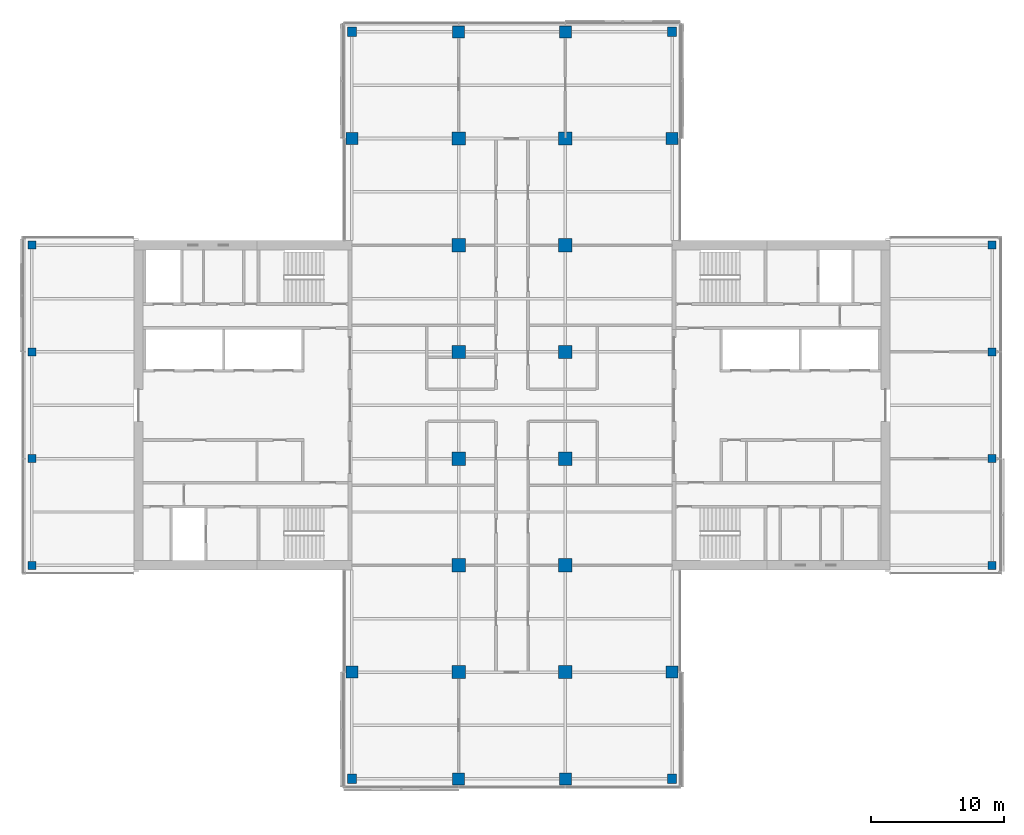
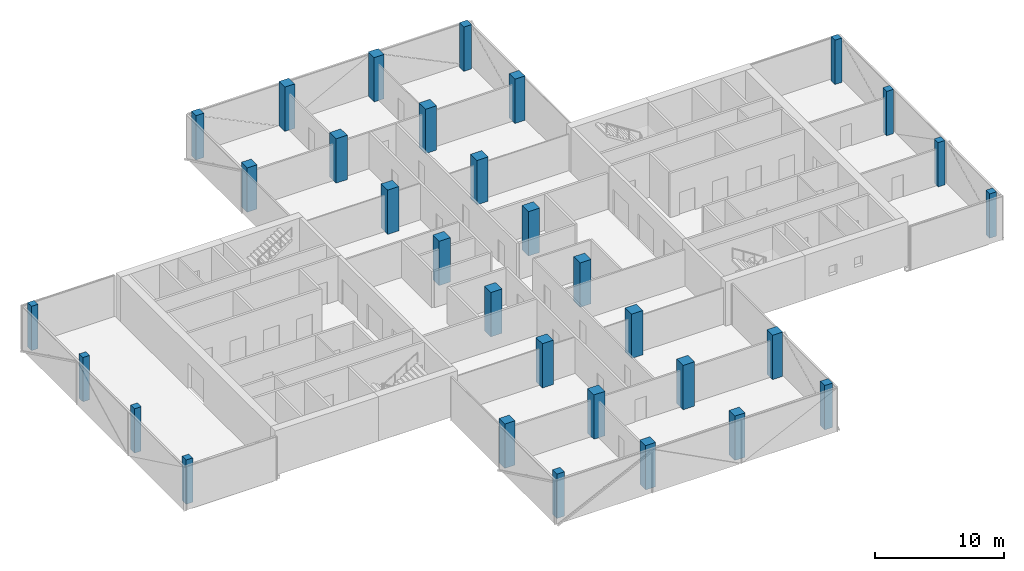
# One storey, part 1 of 22: 32 columns.
"""IFC4 building model written with IfcOpenShell, lengths in metres."""

import ifcopenshell
import ifcopenshell.guid

model = None  # the IFC model being written
_history = None  # IfcOwnerHistory: only IFC2X3 demands one
_inside = {}  # id of a spatial element -> (the spatial element, [elements in it])
_under = {}  # id of a project, library or spatial element -> (it, [spatial elements below it])
_declared = {}  # id of a project -> (the project, [libraries it declares])
_typed = {}  # id of a type object -> (the type object, [elements of that type])
_made_of = {}  # id of a material, layer set ... -> (it, [elements and type objects made of it])


def new_model(schema):
    """Start an empty IFC model of exactly this schema.

    Asked for "IFC4X3", IfcOpenShell would pick the latest addendum, in which some entities
    have other attributes; the version numbers below select the first issue.
    IFC2X3 requires an IfcOwnerHistory on every rooted entity: one is made here for all.
    """
    global model, _history
    if schema == "IFC4X3":
        model = ifcopenshell.file(schema_version=(4, 3, 0, 0))
    else:
        model = ifcopenshell.file(schema=schema)
    _inside.clear()
    _under.clear()
    _declared.clear()
    _typed.clear()
    _made_of.clear()
    _history = None
    if model.schema == "IFC2X3":
        org = make("IfcOrganization", Name="unknown")
        user = make(
            "IfcPersonAndOrganization",
            ThePerson=make("IfcPerson", FamilyName="unknown"),
            TheOrganization=org,
        )
        app = make(
            "IfcApplication",
            ApplicationDeveloper=org,
            Version="unknown",
            ApplicationFullName="unknown",
            ApplicationIdentifier="unknown",
        )
        _history = make(
            "IfcOwnerHistory",
            OwningUser=user,
            OwningApplication=app,
            ChangeAction="ADDED",
            CreationDate=0,
        )
    return model


def make(cls, **values):
    """One entity of the class cls with the attributes given. An attribute that is None is left unset."""
    return model.create_entity(
        cls, **{name: value for name, value in values.items() if value is not None}
    )


def rooted(cls, **values):
    """An entity with a GlobalId (a new one), such as an element, a storey or a relation."""
    return make(cls, GlobalId=ifcopenshell.guid.new(), OwnerHistory=_history, **values)


def si_unit(unit_type, name, prefix=None):
    """IfcSIUnit, for example si_unit("LENGTHUNIT", "METRE", prefix="MILLI")."""
    return make("IfcSIUnit", UnitType=unit_type, Prefix=prefix, Name=name)


def assignment(units):
    """IfcUnitAssignment: the units of a project."""
    return None if units is None else make("IfcUnitAssignment", Units=units)


def point(xyz):
    """IfcCartesianPoint."""
    return None if xyz is None else make("IfcCartesianPoint", Coordinates=xyz)


def direction(xyz):
    """IfcDirection."""
    return None if xyz is None else make("IfcDirection", DirectionRatios=xyz)


def frame(location, z_axis=None, x_axis=None):
    """IfcAxis2Placement3D, a coordinate frame: its origin and axes. An axis left out is left unset."""
    return make(
        "IfcAxis2Placement3D",
        Location=point(location),
        Axis=direction(z_axis),
        RefDirection=direction(x_axis),
    )


def frame_2d(location, x_axis=None):
    """IfcAxis2Placement2D, a coordinate frame in the plane: its origin and x axis."""
    return make(
        "IfcAxis2Placement2D", Location=point(location), RefDirection=direction(x_axis)
    )


def origin():
    """The frame at (0, 0, 0) with its axes left unset."""
    return frame((0.0, 0.0, 0.0))


def origin_2d():
    """The frame at (0, 0) in the plane with its x axis left unset."""
    return frame_2d((0.0, 0.0))


def place(relative_to, where):
    """IfcLocalPlacement: puts the frame where relative to a parent placement (None: the world)."""
    return make(
        "IfcLocalPlacement", PlacementRelTo=relative_to, RelativePlacement=where
    )


def context(
    kind, dimensions, precision=None, world=None, true_north=None, identifier=None
):
    """IfcGeometricRepresentationContext, for example the 3D "Model" context."""
    return make(
        "IfcGeometricRepresentationContext",
        ContextIdentifier=identifier,
        ContextType=kind,
        CoordinateSpaceDimension=dimensions,
        Precision=precision,
        WorldCoordinateSystem=world,
        TrueNorth=true_north,
    )


def subcontext(parent, identifier, kind, view, scale=None):
    """IfcGeometricRepresentationSubContext, for example "Body" below "Model"."""
    return make(
        "IfcGeometricRepresentationSubContext",
        ContextIdentifier=identifier,
        ContextType=kind,
        ParentContext=parent,
        TargetScale=scale,
        TargetView=view,
    )


def project(units=None, contexts=None):
    """IfcProject with its units and contexts."""
    return rooted(
        "IfcProject",
        Name="project",
        RepresentationContexts=contexts,
        UnitsInContext=assignment(units),
    )


def spatial(cls, under=None, at=None, **own):
    """A site, building, storey or space (cls), placed at a placement, below another one or the project."""
    s = rooted(cls, ObjectPlacement=at, **own)
    if under is not None:
        _under.setdefault(under.id(), (under, []))[1].append(s)
    return s


def profile(cls, at=None, kind="AREA", **sizes):
    """A parametric profile (cls). Its sizes go by their IFC names, for example OverallWidth=200.0."""
    return make(cls, ProfileType=kind, Position=at, **sizes)


def rectangle(**sizes):
    """IfcRectangleProfileDef."""
    return profile("IfcRectangleProfileDef", **sizes)


def extrude(swept, where, along, depth):
    """IfcExtrudedAreaSolid: the profile swept, set in the frame where, extruded along a direction by depth."""
    return make(
        "IfcExtrudedAreaSolid",
        SweptArea=swept,
        Position=where,
        ExtrudedDirection=direction(along),
        Depth=depth,
    )


def shape(context_of_items, identifier, shape_type, items):
    """IfcShapeRepresentation: the items that make up one representation, for example the "Body"."""
    return make(
        "IfcShapeRepresentation",
        ContextOfItems=context_of_items,
        RepresentationIdentifier=identifier,
        RepresentationType=shape_type,
        Items=items,
    )


def material(Name=None, Category=None):
    """IfcMaterial."""
    return make("IfcMaterial", Name=Name, Category=Category)


def material_profile(
    of_material, cross_section, Name=None, Category=None, Priority=None
):
    """IfcMaterialProfile: a cross section and its material."""
    return make(
        "IfcMaterialProfile",
        Name=Name,
        Material=of_material,
        Profile=cross_section,
        Priority=Priority,
        Category=Category,
    )


def profile_set(profiles, Name=None, composite=None):
    """IfcMaterialProfileSet."""
    return make(
        "IfcMaterialProfileSet",
        Name=Name,
        MaterialProfiles=profiles,
        CompositeProfile=composite,
    )


def made_of(thing, what):
    """Note that an element or type object is made of a material, layer set ...; save() writes the relation."""
    if what is not None:
        _made_of.setdefault(what.id(), (what, []))[1].append(thing)
    return thing


def type_object(cls, material=None, **own):
    """A type object (cls), such as IfcWallType, which elements share."""
    return made_of(rooted(cls, **own), material)


def element(
    cls,
    number,
    at=None,
    inside=None,
    cuts=None,
    type_object=None,
    material=None,
    context=None,
    identifier="Body",
    shape_type=None,
    held_by="IfcProductDefinitionShape",
    body=None,
    shapes=None,
    **own,
):
    """One element of the class cls, such as IfcWall. Its Tag is "e" and its number.

    at: its placement. inside: the storey or other place that contains it. cuts: it is an
    opening in that element (IfcRelVoidsElement). A single representation is given by context,
    identifier, shape_type and body (its items); several are given by shapes. held_by: the class
    of the entity that holds the representations. save() writes the other relations.
    """
    e = rooted(cls, Tag="e%d" % number, ObjectPlacement=at, **own)
    if body is not None:
        shapes = [shape(context, identifier, shape_type, body)]
    if shapes is not None:
        e.Representation = make(held_by, Representations=shapes)
    if inside is not None:
        _inside.setdefault(inside.id(), (inside, []))[1].append(e)
    if cuts is not None:
        rooted(
            "IfcRelVoidsElement", RelatingBuildingElement=cuts, RelatedOpeningElement=e
        )
    if type_object is not None:
        _typed.setdefault(type_object.id(), (type_object, []))[1].append(e)
    return made_of(e, material)


def aggregate(whole, parts):
    """IfcRelAggregates: a whole, such as a stair, and the parts it consists of."""
    return rooted("IfcRelAggregates", RelatingObject=whole, RelatedObjects=parts)


def save(model, path):
    """Write the relations noted so far, then the file.

    IfcRelAggregates (storeys below a building ...), IfcRelContainedInSpatialStructure (elements
    in a storey), IfcRelDefinesByType, IfcRelAssociatesMaterial and IfcRelDeclares: one each for
    every whole, place, type object, material and project.
    """
    for whole, parts in _under.values():
        aggregate(whole, parts)
    for where, things in _inside.values():
        rooted(
            "IfcRelContainedInSpatialStructure",
            RelatedElements=things,
            RelatingStructure=where,
        )
    for kind, things in _typed.values():
        rooted("IfcRelDefinesByType", RelatedObjects=things, RelatingType=kind)
    for what, things in _made_of.values():
        rooted("IfcRelAssociatesMaterial", RelatedObjects=things, RelatingMaterial=what)
    for by, libraries in _declared.values():
        rooted("IfcRelDeclares", RelatingContext=by, RelatedDefinitions=libraries)
    model.write(path)


model = new_model("IFC4")

# Units and contexts
model_context = context("Model", 3, precision=1e-05, world=origin(), true_north=direction((0.0, 1.0)))
body_context = subcontext(model_context, "Body", "Model", "MODEL_VIEW")
ifc_project = project(units=[si_unit("LENGTHUNIT", "METRE"), si_unit("AREAUNIT", "SQUARE_METRE"), si_unit("VOLUMEUNIT", "CUBIC_METRE"), si_unit("PLANEANGLEUNIT", "RADIAN"), si_unit("MASSUNIT", "GRAM", prefix="KILO")], contexts=[model_context])

# Site, building, storey
site_placement = place(None, origin())
site = spatial("IfcSite", under=ifc_project, at=site_placement, CompositionType="ELEMENT")
building_placement = place(site_placement, origin())
building = spatial("IfcBuilding", under=site, at=building_placement, Name="Crosswind Convention Tower", CompositionType="ELEMENT")
storey_placement = place(building_placement, frame((0.0, 0.0, 133.699951171875)))
storey = spatial("IfcBuildingStorey", under=building, at=storey_placement, Name="L27", CompositionType="ELEMENT", Elevation=133.699951171875)

# Columns
ifc_material_1 = material(Name="Concrete C70/85", Category="concrete")
ifc_material_profile_1 = material_profile(ifc_material_1, rectangle(XDim=1.0, YDim=1.0, at=origin_2d()), Name="RC 1000X1000")
ifc_profile_set_1 = profile_set([ifc_material_profile_1], Name="Concrete C70/85")
column_type_1 = type_object("IfcColumnType", Name="Column RC 1000X1000", PredefinedType="COLUMN", material=ifc_profile_set_1)
for number, where, z_axis, x_axis, name in (
    (1, (121.0, 80.0, 0.0), (0.0, 0.0, 1.0), (1.0, 0.0, 0.0), "C12 L27 6/D"),
    (2, (121.0, 88.0, 0.0), (0.0, 0.0, 1.0), (1.0, 0.0, 0.0), "C12 L27 6/E"),
    (3, (121.0, 96.0, 0.0), (0.0, 0.0, 1.0), (1.0, 0.0, 0.0), "C12 L27 6/F"),
    (4, (121.0, 104.0, 0.0), (0.0, 0.0, 1.0), (1.0, 0.0, 0.0), "C12 L27 6/G"),
    (5, (121.0, 112.0, 0.0), (0.0, 0.0, 1.0), (1.0, 0.0, 0.0), "C12 L27 6/H"),
    (6, (121.0, 120.0, 0.0), (0.0, 0.0, 1.0), (1.0, 0.0, 0.0), "C12 L27 6/I"),
    (7, (129.0, 80.0, 0.0), (0.0, 0.0, 1.0), (1.0, 0.0, 0.0), "C12 L27 7/D"),
    (8, (129.0, 88.0, 0.0), (0.0, 0.0, 1.0), (1.0, 0.0, 0.0), "C12 L27 7/E"),
    (9, (129.0, 96.0, 0.0), (0.0, 0.0, 1.0), (1.0, 0.0, 0.0), "C12 L27 7/F"),
    (10, (129.0, 104.0, 0.0), (0.0, 0.0, 1.0), (1.0, 0.0, 0.0), "C12 L27 7/G"),
    (11, (129.0, 112.0, 0.0), (0.0, 0.0, 1.0), (1.0, 0.0, 0.0), "C12 L27 7/H"),
    (12, (129.0, 120.0, 0.0), (0.0, 0.0, 1.0), (1.0, 0.0, 0.0), "C12 L27 7/I"),
):
    element("IfcColumn", number, at=place(storey_placement, frame(where, z_axis=z_axis, x_axis=x_axis)), inside=storey, type_object=column_type_1, Name=name, PredefinedType="COLUMN", context=body_context, shape_type="SweptSolid", body=[
        extrude(rectangle(XDim=1.0, YDim=1.0, at=origin_2d()), origin(), (0.0, 0.0, 1.0), 4.199951171875),
    ])
ifc_material_2 = material(Name="Concrete C60/75", Category="concrete")
ifc_material_profile_2 = material_profile(ifc_material_2, rectangle(XDim=0.60009765625, YDim=0.60009765625, at=origin_2d()), Name="RC 600X600")
ifc_profile_set_2 = profile_set([ifc_material_profile_2], Name="Concrete C60/75")
column_type_2 = type_object("IfcColumnType", Name="Column RC 600X600", PredefinedType="COLUMN", material=ifc_profile_set_2)
for number, where, z_axis, x_axis, name in (
    (13, (89.0, 88.0, 0.0), (0.0, 0.0, 1.0), (1.0, 0.0, 0.0), "C16 L27 2/E"),
    (14, (89.0, 96.0, 0.0), (0.0, 0.0, 1.0), (1.0, 0.0, 0.0), "C16 L27 2/F"),
    (15, (89.0, 104.0, 0.0), (0.0, 0.0, 1.0), (1.0, 0.0, 0.0), "C16 L27 2/G"),
    (16, (89.0, 112.0, 0.0), (0.0, 0.0, 1.0), (1.0, 0.0, 0.0), "C16 L27 2/H"),
    (17, (161.0, 88.0, 0.0), (0.0, 0.0, 1.0), (1.0, 0.0, 0.0), "C16 L27 11/E"),
    (18, (161.0, 96.0, 0.0), (0.0, 0.0, 1.0), (1.0, 0.0, 0.0), "C16 L27 11/F"),
    (19, (161.0, 104.0, 0.0), (0.0, 0.0, 1.0), (1.0, 0.0, 0.0), "C16 L27 11/G"),
    (20, (161.0, 112.0, 0.0), (0.0, 0.0, 1.0), (1.0, 0.0, 0.0), "C16 L27 11/H"),
):
    element("IfcColumn", number, at=place(storey_placement, frame(where, z_axis=z_axis, x_axis=x_axis)), inside=storey, type_object=column_type_2, Name=name, PredefinedType="COLUMN", context=body_context, shape_type="SweptSolid", body=[
        extrude(rectangle(XDim=0.60009765625, YDim=0.60009765625, at=origin_2d()), origin(), (0.0, 0.0, 1.0), 4.199951171875),
    ])
ifc_material_profile_3 = material_profile(ifc_material_2, rectangle(XDim=0.699951171875, YDim=0.699951171875, at=origin_2d()), Name="RC 700X700")
ifc_profile_set_3 = profile_set([ifc_material_profile_3], Name="Concrete C60/75")
column_type_3 = type_object("IfcColumnType", Name="Column RC 700X700", PredefinedType="COLUMN", material=ifc_profile_set_3)
for number, where, z_axis, x_axis, name in (
    (21, (113.0, 72.0, 0.0), (0.0, 0.0, 1.0), (1.0, 0.0, 0.0), "C15 L27 5/C"),
    (22, (113.0, 128.0, 0.0), (0.0, 0.0, 1.0), (1.0, 0.0, 0.0), "C15 L27 5/J"),
    (23, (137.0, 72.0, 0.0), (0.0, 0.0, 1.0), (1.0, 0.0, 0.0), "C15 L27 8/C"),
    (24, (137.0, 128.0, 0.0), (0.0, 0.0, 1.0), (1.0, 0.0, 0.0), "C15 L27 8/J"),
):
    element("IfcColumn", number, at=place(storey_placement, frame(where, z_axis=z_axis, x_axis=x_axis)), inside=storey, type_object=column_type_3, Name=name, PredefinedType="COLUMN", context=body_context, shape_type="SweptSolid", body=[
        extrude(rectangle(XDim=0.699951171875, YDim=0.699951171875, at=origin_2d()), origin(), (0.0, 0.0, 1.0), 4.199951171875),
    ])
ifc_material_profile_4 = material_profile(ifc_material_2, rectangle(XDim=0.89990234375, YDim=0.89990234375, at=origin_2d()), Name="RC 900X900")
ifc_profile_set_4 = profile_set([ifc_material_profile_4], Name="Concrete C60/75")
column_type_4 = type_object("IfcColumnType", Name="Column RC 900X900", PredefinedType="COLUMN", material=ifc_profile_set_4)
for number, where, z_axis, x_axis, name in (
    (25, (113.0, 80.0, 0.0), (0.0, 0.0, 1.0), (1.0, 0.0, 0.0), "C13 L27 5/D"),
    (26, (113.0, 120.0, 0.0), (0.0, 0.0, 1.0), (1.0, 0.0, 0.0), "C13 L27 5/I"),
    (27, (121.0, 72.0, 0.0), (0.0, 0.0, 1.0), (1.0, 0.0, 0.0), "C13 L27 6/C"),
    (28, (121.0, 128.0, 0.0), (0.0, 0.0, 1.0), (1.0, 0.0, 0.0), "C13 L27 6/J"),
    (29, (129.0, 72.0, 0.0), (0.0, 0.0, 1.0), (1.0, 0.0, 0.0), "C13 L27 7/C"),
    (30, (129.0, 128.0, 0.0), (0.0, 0.0, 1.0), (1.0, 0.0, 0.0), "C13 L27 7/J"),
    (31, (137.0, 80.0, 0.0), (0.0, 0.0, 1.0), (1.0, 0.0, 0.0), "C13 L27 8/D"),
    (32, (137.0, 120.0, 0.0), (0.0, 0.0, 1.0), (1.0, 0.0, 0.0), "C13 L27 8/I"),
):
    element("IfcColumn", number, at=place(storey_placement, frame(where, z_axis=z_axis, x_axis=x_axis)), inside=storey, type_object=column_type_4, Name=name, PredefinedType="COLUMN", context=body_context, shape_type="SweptSolid", body=[
        extrude(rectangle(XDim=0.89990234375, YDim=0.89990234375, at=origin_2d()), origin(), (0.0, 0.0, 1.0), 4.199951171875),
    ])

save(model, "model.ifc")
